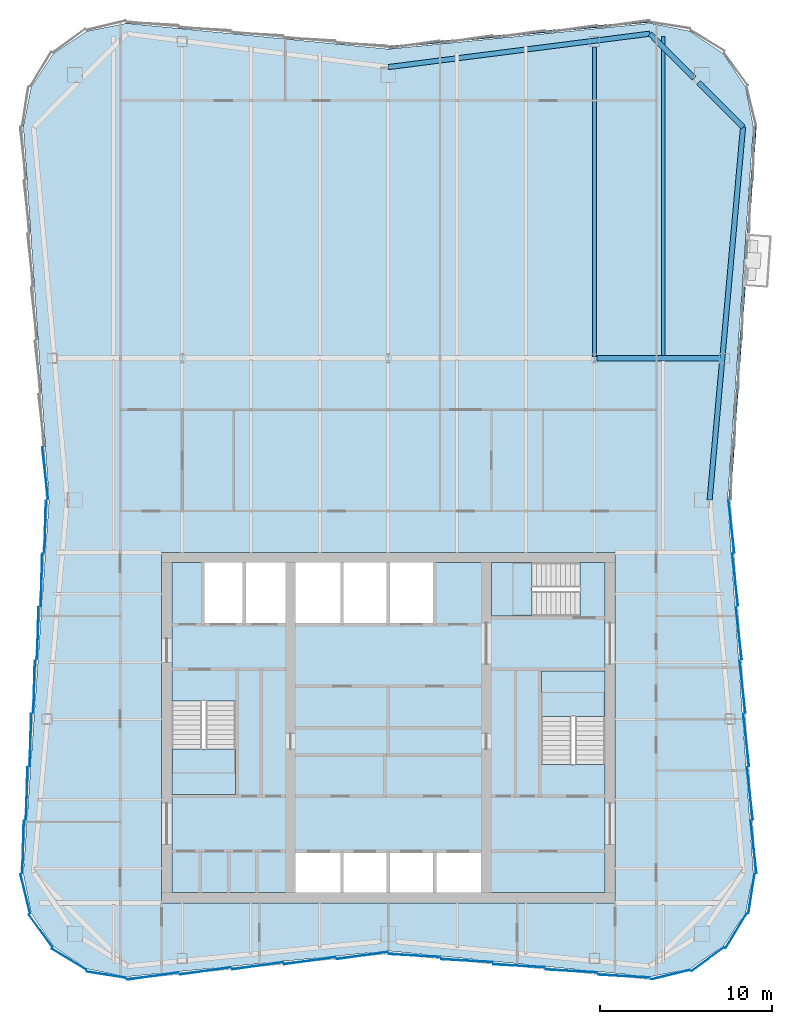
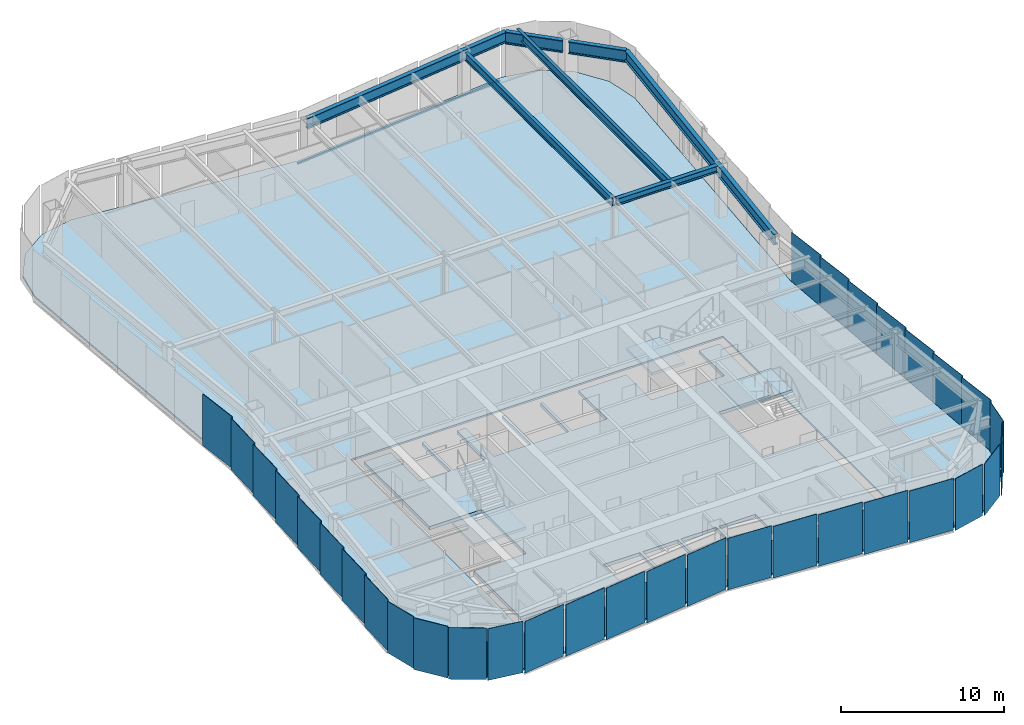
# One storey, part 4 of 11: 33 plates, 7 beams, 5 slabs, 3 members, 9 elements without a shape of their own.
"""IFC4 building model written with IfcOpenShell, lengths in metres."""

from ifc_helpers import new_model, si_unit, direction, frame, origin, origin_2d, place, context, subcontext, project, spatial, polyline, rectangle, i_section, outline, extrude, material, layer, layer_set, material_profile, profile_set, type_object, element, aggregate, save


model = new_model("IFC4")

# Units and contexts
model_context = context("Model", 3, precision=1e-05, world=origin(), true_north=direction((0.0, 1.0)))
body_context = subcontext(model_context, "Body", "Model", "MODEL_VIEW")
ifc_project = project(units=[si_unit("LENGTHUNIT", "METRE"), si_unit("AREAUNIT", "SQUARE_METRE"), si_unit("VOLUMEUNIT", "CUBIC_METRE"), si_unit("PLANEANGLEUNIT", "RADIAN"), si_unit("MASSUNIT", "GRAM", prefix="KILO")], contexts=[model_context])

# Site, building, storey
site_placement = place(None, origin())
site = spatial("IfcSite", under=ifc_project, at=site_placement, CompositionType="ELEMENT")
building_placement = place(site_placement, origin())
building = spatial("IfcBuilding", under=site, at=building_placement, Name="Verdant Reach Tower", CompositionType="ELEMENT")
storey_placement = place(building_placement, frame((0.0, 0.0, 298.0)))
storey = spatial("IfcBuildingStorey", under=building, at=storey_placement, Name="L68", CompositionType="ELEMENT", Elevation=298.0)

# Curtain wall, members
ifc_material_1 = material(Name="Anodised aluminium", Category="aluminium")
curtain_wall_type = type_object("IfcCurtainWallType", Name="EN-CW SYSTEM Z5", PredefinedType="NOTDEFINED", material=ifc_material_1)
curtain_wall_1_placement = place(storey_placement, origin())
curtain_wall_1 = element("IfcCurtainWall", 1, at=curtain_wall_1_placement, inside=storey, type_object=curtain_wall_type, Name="Curtain wall east, L68", PredefinedType="NOTDEFINED")
ifc_material_profile_1 = material_profile(ifc_material_1, rectangle(XDim=0.10009765625, YDim=0.1298828125, at=origin_2d()), Name="Transom 130x100")
ifc_profile_set_1 = profile_set([ifc_material_profile_1], Name="Anodised aluminium")
member_type = type_object("IfcMemberType", Name="EN-TRANSOM Z5", PredefinedType="USERDEFINED", material=ifc_profile_set_1)
member_1_placement = place(storey_placement, frame((19.867431640625, 41.284912109375, -0.284912109375), z_axis=(0.068823748892, 0.997628834582, 0.0), x_axis=(-0.997628834582, 0.068823748892, 0.0)))
member_1 = element("IfcMember", 2, at=member_1_placement, type_object=member_type, Name="Transom east face part 2 1.1, L68", ObjectType="TRANSOM", PredefinedType="USERDEFINED", context=body_context, shape_type="SweptSolid", body=[
    extrude(rectangle(XDim=0.10009765625, YDim=0.1298828125, at=origin_2d()), origin(), (0.0, 0.0, 1.0), 12.380126953125),
])
member_2_placement = place(storey_placement, frame((20.9384765625, 56.812744140625, -0.284912109375), z_axis=(0.068644672033, 0.997641172467, 0.0), x_axis=(-0.997641172467, 0.068644672033, 0.0)))
member_2 = element("IfcMember", 3, at=member_2_placement, type_object=member_type, Name="Transom east face part 2 2.1, L68", ObjectType="TRANSOM", PredefinedType="USERDEFINED", context=body_context, shape_type="SweptSolid", body=[
    extrude(rectangle(XDim=0.10009765625, YDim=0.1298828125, at=origin_2d()), origin(), (0.0, 0.0, 1.0), 6.17431640625),
])

# Curtain wall, member
curtain_wall_2_placement = place(storey_placement, origin())
curtain_wall_2 = element("IfcCurtainWall", 4, at=curtain_wall_2_placement, inside=storey, type_object=curtain_wall_type, Name="Curtain wall north, L68", PredefinedType="NOTDEFINED")
member_3_placement = place(storey_placement, frame((15.220703125, 69.111328125, -0.284912109375), z_axis=(-0.99520229006, -0.097838652171, 0.0), x_axis=(0.097838652171, -0.99520229006, 0.0)))
member_3 = element("IfcMember", 5, at=member_3_placement, type_object=member_type, Name="Transom north face part 1 1.1, L68", ObjectType="TRANSOM", PredefinedType="USERDEFINED", context=body_context, shape_type="SweptSolid", body=[
    extrude(rectangle(XDim=0.10009765625, YDim=0.1298828125, at=origin_2d()), origin(), (0.0, 0.0, 1.0), 15.259033203125),
])
aggregate(curtain_wall_2, [member_3])

# Beams
ifc_material_2 = material(Name="Steel S355", Category="steel")
ifc_material_profile_2 = material_profile(ifc_material_2, i_section(OverallWidth=0.300048828125, OverallDepth=0.489990234375, WebThickness=0.011962890625, FlangeThickness=0.02294921875, FilletRadius=0.027099609375, at=origin_2d()), Name="HEA 500")
ifc_profile_set_2 = profile_set([ifc_material_profile_2], Name="Steel S355")
beam_type_1 = type_object("IfcBeamType", Name="ST-BEAM-HEA500", PredefinedType="BEAM", material=ifc_profile_set_2)
beam_1_placement = place(storey_placement, frame((12.153076171875, 49.5, 3.625), z_axis=(1.0, 0.0, 0.0), x_axis=(0.0, 1.0, 0.0)))
element("IfcBeam", 6, at=beam_1_placement, inside=storey, type_object=beam_type_1, Name="Row girder, L68", PredefinedType="BEAM", context=body_context, shape_type="SweptSolid", body=[
    extrude(i_section(OverallWidth=0.300048828125, OverallDepth=0.489990234375, WebThickness=0.011962890625, FlangeThickness=0.02294921875, FilletRadius=0.027099609375, at=origin_2d()), origin(), (0.0, 0.0, 1.0), 7.115966796875),
])
ifc_material_profile_3 = material_profile(ifc_material_2, i_section(OverallWidth=0.219970703125, OverallDepth=0.60009765625, WebThickness=0.011962890625, FlangeThickness=0.01904296875, FilletRadius=0.02392578125, at=origin_2d()), Name="IPE 600")
ifc_profile_set_3 = profile_set([ifc_material_profile_3], Name="Steel S355")
beam_type_2 = type_object("IfcBeamType", Name="ST-JOIST-IPE600", PredefinedType="JOIST", material=ifc_profile_set_3)
beam_2_placement = place(storey_placement, frame((12.0, 49.60009765625, 3.570068359375), z_axis=(0.0, 1.0, 0.0), x_axis=(-1.0, 0.0, 0.0)))
element("IfcBeam", 7, at=beam_2_placement, inside=storey, type_object=beam_type_2, Name="Floor joist, L68", PredefinedType="JOIST", context=body_context, shape_type="SweptSolid", body=[
    extrude(i_section(OverallWidth=0.219970703125, OverallDepth=0.60009765625, WebThickness=0.011962890625, FlangeThickness=0.01904296875, FilletRadius=0.02392578125, at=origin_2d()), origin(), (0.0, 0.0, 1.0), 18.0302734375),
])
beam_3_placement = place(storey_placement, frame((16.0, 49.60009765625, 3.570068359375), z_axis=(0.0, 1.0, 0.0), x_axis=(-1.0, 0.0, 0.0)))
element("IfcBeam", 8, at=beam_3_placement, inside=storey, type_object=beam_type_2, Name="Floor joist, L68", PredefinedType="JOIST", context=body_context, shape_type="SweptSolid", body=[
    extrude(i_section(OverallWidth=0.219970703125, OverallDepth=0.60009765625, WebThickness=0.011962890625, FlangeThickness=0.01904296875, FilletRadius=0.02392578125, at=origin_2d()), origin(), (0.0, 0.0, 1.0), 18.638916015625),
])
ifc_material_profile_4 = material_profile(ifc_material_2, i_section(OverallWidth=0.300048828125, OverallDepth=0.800048828125, WebThickness=0.017578125, FlangeThickness=0.032958984375, FilletRadius=0.030029296875, at=origin_2d()), Name="HEB 800")
ifc_profile_set_4 = profile_set([ifc_material_profile_4], Name="Steel S355")
beam_type_3 = type_object("IfcBeamType", Name="ST-SPANDREL-HEB800", PredefinedType="SPANDREL", material=ifc_profile_set_4)
beam_4_placement = place(storey_placement, frame((0.0, 66.449951171875, 3.469970703125), z_axis=(0.991938889669, 0.126717162063, 0.0), x_axis=(-0.126717162063, 0.991938889669, 0.0)))
element("IfcBeam", 9, at=beam_4_placement, inside=storey, type_object=beam_type_3, Name="Edge beam, L68", PredefinedType="SPANDREL", context=body_context, shape_type="SweptSolid", body=[
    extrude(i_section(OverallWidth=0.300048828125, OverallDepth=0.800048828125, WebThickness=0.017578125, FlangeThickness=0.032958984375, FilletRadius=0.030029296875, at=origin_2d()), origin(), (0.0, 0.0, 1.0), 15.343994140625),
])
beam_5_placement = place(storey_placement, frame((20.64599609375, 62.96142578125, 3.469970703125), z_axis=(-0.089274399498, -0.996007069048, 0.0), x_axis=(0.996007069048, -0.089274399498, 0.0)))
element("IfcBeam", 10, at=beam_5_placement, inside=storey, type_object=beam_type_3, Name="Edge beam, L68", PredefinedType="SPANDREL", context=body_context, shape_type="SweptSolid", body=[
    extrude(i_section(OverallWidth=0.300048828125, OverallDepth=0.800048828125, WebThickness=0.017578125, FlangeThickness=0.032958984375, FilletRadius=0.030029296875, at=origin_2d()), origin(), (0.0, 0.0, 1.0), 21.798583984375),
])
ifc_material_profile_5 = material_profile(ifc_material_2, i_section(OverallWidth=0.302001953125, OverallDepth=0.909912109375, WebThickness=0.02099609375, FlangeThickness=0.0400390625, FilletRadius=0.030029296875, at=origin_2d()), Name="HEM 900")
ifc_profile_set_5 = profile_set([ifc_material_profile_5], Name="Steel S355")
beam_type_4 = type_object("IfcBeamType", Name="ST-SPANDREL-HEM900", PredefinedType="SPANDREL", material=ifc_profile_set_5)
beam_6_placement = place(storey_placement, frame((15.22021484375, 68.394287109375, 3.4150390625), z_axis=(0.706638520854, -0.707574731632, 0.0), x_axis=(0.707574731632, 0.706638520854, 0.0)))
element("IfcBeam", 11, at=beam_6_placement, inside=storey, type_object=beam_type_4, Name="Edge beam, L68", PredefinedType="SPANDREL", context=body_context, shape_type="SweptSolid", body=[
    extrude(i_section(OverallWidth=0.302001953125, OverallDepth=0.909912109375, WebThickness=0.02099609375, FlangeThickness=0.0400390625, FilletRadius=0.030029296875, at=origin_2d()), origin(), (0.0, 0.0, 1.0), 3.65087890625),
])
beam_7_placement = place(storey_placement, frame((18.060791015625, 65.550048828125, 3.4150390625), z_axis=(0.706639493403, -0.707573760369, 0.0), x_axis=(0.707573760369, 0.706639493403, 0.0)))
element("IfcBeam", 12, at=beam_7_placement, inside=storey, type_object=beam_type_4, Name="Edge beam, L68", PredefinedType="SPANDREL", context=body_context, shape_type="SweptSolid", body=[
    extrude(i_section(OverallWidth=0.302001953125, OverallDepth=0.909912109375, WebThickness=0.02099609375, FlangeThickness=0.0400390625, FilletRadius=0.030029296875, at=origin_2d()), origin(), (0.0, 0.0, 1.0), 3.658447265625),
])

# Stair, slab
ifc_material_3 = material(Name="Concrete C40/50", Category="concrete")
stair_type = type_object("IfcStairType", Name="CO-STAIR", PredefinedType="HALF_TURN_STAIR", material=ifc_material_3)
stair_1_placement = place(storey_placement, origin())
stair_1 = element("IfcStair", 13, at=stair_1_placement, inside=storey, type_object=stair_type, Name="L68 Exit stair 1", PredefinedType="HALF_TURN_STAIR")
ifc_layer_1 = layer(ifc_material_3, 0.199951171875)
ifc_layer_set_1 = layer_set([ifc_layer_1], Name="CO-STAIR-LANDING")
slab_type_1 = type_object("IfcSlabType", Name="CO-STAIR-LANDING", PredefinedType="LANDING", material=ifc_layer_set_1)
slab_1_placement = place(storey_placement, frame((0.0, 0.0, 1.800048828125)))
slab_1 = element("IfcSlab", 14, at=slab_1_placement, type_object=slab_type_1, Name="ST-1 landing 1", PredefinedType="LANDING", context=body_context, shape_type="SweptSolid", body=[
    extrude(outline(polyline([(-12.60009765625, 26.75), (-12.60009765625, 24.10009765625), (-8.89990234375, 24.10009765625), (-8.89990234375, 26.75), (-12.60009765625, 26.75)])), origin(), (0.0, 0.0, 1.0), 0.199951171875),
])
aggregate(stair_1, [slab_1])

stair_2_placement = place(storey_placement, origin())
stair_2 = element("IfcStair", 15, at=stair_2_placement, inside=storey, type_object=stair_type, Name="L68 Exit stair 2", PredefinedType="HALF_TURN_STAIR")
slab_2_placement = place(storey_placement, frame((0.0, 0.0, 1.800048828125)))
slab_2 = element("IfcSlab", 16, at=slab_2_placement, type_object=slab_type_1, Name="ST-2 landing 1", PredefinedType="LANDING", context=body_context, shape_type="SweptSolid", body=[
    extrude(outline(polyline([(12.60009765625, 28.64990234375), (12.60009765625, 31.300048828125), (8.89990234375, 31.300048828125), (8.89990234375, 28.64990234375), (12.60009765625, 28.64990234375)])), origin(), (0.0, 0.0, 1.0), 0.199951171875),
])
aggregate(stair_2, [slab_2])

stair_3_placement = place(storey_placement, origin())
stair_3 = element("IfcStair", 17, at=stair_3_placement, inside=storey, type_object=stair_type, Name="L68 Exit stair 3", PredefinedType="HALF_TURN_STAIR")
slab_3_placement = place(storey_placement, frame((0.0, 0.0, 1.800048828125)))
slab_3 = element("IfcSlab", 18, at=slab_3_placement, type_object=slab_type_1, Name="ST-3 landing 1", PredefinedType="LANDING", context=body_context, shape_type="SweptSolid", body=[
    extrude(outline(polyline([(8.35009765625, 37.60009765625), (6.0, 37.60009765625), (6.0, 34.5), (8.35009765625, 34.5), (8.35009765625, 37.60009765625)])), origin(), (0.0, 0.0, 1.0), 0.199951171875),
])
aggregate(stair_3, [slab_3])

# Curtain wall, plates
curtain_wall_3_placement = place(storey_placement, origin())
curtain_wall_3 = element("IfcCurtainWall", 19, at=curtain_wall_3_placement, inside=storey, type_object=curtain_wall_type, Name="Curtain wall south-east corner, L68", PredefinedType="NOTDEFINED")
ifc_material_4 = material(Name="Tinted glass with champagne spandrel", Category="glass")
ifc_layer_2 = layer(ifc_material_4, 0.031982421875)
ifc_layer_set_2 = layer_set([ifc_layer_2], Name="EN-PANEL CHAMPAGNE")
plate_type_1 = type_object("IfcPlateType", Name="EN-PANEL CHAMPAGNE", PredefinedType="CURTAIN_PANEL", material=ifc_layer_set_2)
plate_1_placement = place(storey_placement, frame((18.58203125, 14.51318359375, -0.219970703125), z_axis=(0.0, 0.0, 1.0), x_axis=(0.807456783236, 0.58992672698, 0.0)))
plate_1 = element("IfcPlate", 20, at=plate_1_placement, type_object=plate_type_1, Name="Glass panel south-east corner 2.1, L68", PredefinedType="CURTAIN_PANEL", context=body_context, shape_type="SweptSolid", body=[
    extrude(rectangle(XDim=2.320068359375, YDim=0.031982421875, at=origin_2d()), origin(), (0.0, 0.0, 1.0), 3.8701171875),
])
plate_2_placement = place(storey_placement, frame((20.23681640625, 16.16796875, -0.219970703125), z_axis=(0.0, 0.0, 1.0), x_axis=(0.520291528711, 0.853988714885, 0.0)))
plate_2 = element("IfcPlate", 21, at=plate_2_placement, type_object=plate_type_1, Name="Glass panel south-east corner 3.1, L68", PredefinedType="CURTAIN_PANEL", context=body_context, shape_type="SweptSolid", body=[
    extrude(rectangle(XDim=2.320068359375, YDim=0.031982421875, at=origin_2d()), origin(), (0.0, 0.0, 1.0), 3.8701171875),
])

# Plate
plate_3_placement = place(storey_placement, frame((21.257568359375, 21.053955078125, -0.219970703125), z_axis=(0.0, 0.0, 1.0), x_axis=(-0.110197580247, 0.993909700782, 0.0)))
plate_3 = element("IfcPlate", 22, at=plate_3_placement, type_object=plate_type_1, Name="Glass panel east face part 1 1.1, L68", PredefinedType="CURTAIN_PANEL", context=body_context, shape_type="SweptSolid", body=[
    extrude(rectangle(XDim=3.063720703125, YDim=0.031982421875, at=origin_2d()), origin(), (0.0, 0.0, 1.0), 3.8701171875),
])

plate_4_placement = place(storey_placement, frame((21.043212890625, 24.168701171875, -0.219970703125), z_axis=(0.0, 0.0, 1.0), x_axis=(-0.110518162674, 0.993874104562, 0.0)))
plate_4 = element("IfcPlate", 23, at=plate_4_placement, type_object=plate_type_1, Name="Glass panel east face part 1 2.1, L68", PredefinedType="CURTAIN_PANEL", context=body_context, shape_type="SweptSolid", body=[
    extrude(rectangle(XDim=3.048583984375, YDim=0.031982421875, at=origin_2d()), origin(), (0.0, 0.0, 1.0), 3.8701171875),
])

# Curtain wall, plates
curtain_wall_4_placement = place(storey_placement, origin())
curtain_wall_4 = element("IfcCurtainWall", 24, at=curtain_wall_4_placement, inside=storey, type_object=curtain_wall_type, Name="Curtain wall west, L68", PredefinedType="NOTDEFINED")
plate_5_placement = place(storey_placement, frame((-21.043212890625, 24.168701171875, -0.219970703125), z_axis=(0.0, 0.0, 1.0), x_axis=(-0.026965318308, -0.999636369691, 0.0)))
plate_5 = element("IfcPlate", 25, at=plate_5_placement, type_object=plate_type_1, Name="Glass panel west face part 2 6.1, L68", PredefinedType="CURTAIN_PANEL", context=body_context, shape_type="SweptSolid", body=[
    extrude(rectangle(XDim=3.048583984375, YDim=0.031982421875, at=origin_2d()), origin(), (0.0, 0.0, 1.0), 3.8701171875),
])
plate_6_placement = place(storey_placement, frame((-21.257568359375, 21.053955078125, -0.219970703125), z_axis=(0.0, 0.0, 1.0), x_axis=(-0.026642881595, -0.999645015423, 0.0)))
plate_6 = element("IfcPlate", 26, at=plate_6_placement, type_object=plate_type_1, Name="Glass panel west face part 2 7.1, L68", PredefinedType="CURTAIN_PANEL", context=body_context, shape_type="SweptSolid", body=[
    extrude(rectangle(XDim=3.063720703125, YDim=0.031982421875, at=origin_2d()), origin(), (0.0, 0.0, 1.0), 3.8701171875),
])

# Curtain wall, plate
curtain_wall_5_placement = place(storey_placement, origin())
curtain_wall_5 = element("IfcCurtainWall", 27, at=curtain_wall_5_placement, inside=storey, type_object=curtain_wall_type, Name="Curtain wall south-west corner, L68", PredefinedType="NOTDEFINED")
plate_7_placement = place(storey_placement, frame((-16.4228515625, 13.61767578125, -0.219970703125), z_axis=(0.0, 0.0, 1.0), x_axis=(0.988033409454, -0.154240013621, 0.0)))
plate_7 = element("IfcPlate", 28, at=plate_7_placement, type_object=plate_type_1, Name="Glass panel south-west corner 4.1, L68", PredefinedType="CURTAIN_PANEL", context=body_context, shape_type="SweptSolid", body=[
    extrude(rectangle(XDim=2.314453125, YDim=0.031982421875, at=origin_2d()), origin(), (0.0, 0.0, 1.0), 3.8701171875),
])

# Curtain wall, plates
curtain_wall_6_placement = place(storey_placement, origin())
curtain_wall_6 = element("IfcCurtainWall", 29, at=curtain_wall_6_placement, inside=storey, type_object=curtain_wall_type, Name="Curtain wall south, L68", PredefinedType="NOTDEFINED")
plate_8_placement = place(storey_placement, frame((-10.663818359375, 13.83544921875, -0.219970703125), z_axis=(0.0, 0.0, 1.0), x_axis=(0.990225318365, 0.139476947446, 0.0)))
plate_8 = element("IfcPlate", 30, at=plate_8_placement, type_object=plate_type_1, Name="Glass panel south face part 1 2.1, L68", PredefinedType="CURTAIN_PANEL", context=body_context, shape_type="SweptSolid", body=[
    extrude(rectangle(XDim=2.998779296875, YDim=0.031982421875, at=origin_2d()), origin(), (0.0, 0.0, 1.0), 3.8701171875),
])
plate_9_placement = place(storey_placement, frame((-7.61376953125, 14.135498046875, -0.219970703125), z_axis=(0.0, 0.0, 1.0), x_axis=(0.990225318365, 0.139476947446, 0.0)))
plate_9 = element("IfcPlate", 31, at=plate_9_placement, type_object=plate_type_1, Name="Glass panel south face part 1 3.1, L68", PredefinedType="CURTAIN_PANEL", context=body_context, shape_type="SweptSolid", body=[
    extrude(rectangle(XDim=2.998779296875, YDim=0.031982421875, at=origin_2d()), origin(), (0.0, 0.0, 1.0), 3.8701171875),
])
plate_10_placement = place(storey_placement, frame((7.61376953125, 14.135498046875, -0.219970703125), z_axis=(0.0, 0.0, 1.0), x_axis=(0.998423588956, -0.056127863106, 0.0)))
plate_10 = element("IfcPlate", 32, at=plate_10_placement, type_object=plate_type_1, Name="Glass panel south face part 2 3.1, L68", PredefinedType="CURTAIN_PANEL", context=body_context, shape_type="SweptSolid", body=[
    extrude(rectangle(XDim=2.998779296875, YDim=0.031982421875, at=origin_2d()), origin(), (0.0, 0.0, 1.0), 3.8701171875),
])
plate_11_placement = place(storey_placement, frame((10.663818359375, 13.83544921875, -0.219970703125), z_axis=(0.0, 0.0, 1.0), x_axis=(0.998423588956, -0.056127863106, 0.0)))
plate_11 = element("IfcPlate", 33, at=plate_11_placement, type_object=plate_type_1, Name="Glass panel south face part 2 4.1, L68", PredefinedType="CURTAIN_PANEL", context=body_context, shape_type="SweptSolid", body=[
    extrude(rectangle(XDim=2.998779296875, YDim=0.031982421875, at=origin_2d()), origin(), (0.0, 0.0, 1.0), 3.8701171875),
])
plate_12_placement = place(storey_placement, frame((13.72216796875, 13.535400390625, -0.219970703125), z_axis=(0.0, 0.0, 1.0), x_axis=(0.998446157248, -0.055724959185, 0.0)))
plate_12 = element("IfcPlate", 34, at=plate_12_placement, type_object=plate_type_1, Name="Glass panel south face part 2 5.1, L68", PredefinedType="CURTAIN_PANEL", context=body_context, shape_type="SweptSolid", body=[
    extrude(rectangle(XDim=3.015625, YDim=0.031982421875, at=origin_2d()), origin(), (0.0, 0.0, 1.0), 3.8701171875),
])

# Plate
ifc_material_5 = material(Name="Tinted glass with copper spandrel", Category="glass")
ifc_layer_3 = layer(ifc_material_5, 0.031982421875)
ifc_layer_set_3 = layer_set([ifc_layer_3], Name="EN-PANEL COPPER")
plate_type_2 = type_object("IfcPlateType", Name="EN-PANEL COPPER", PredefinedType="CURTAIN_PANEL", material=ifc_layer_set_3)
plate_13_placement = place(storey_placement, frame((21.132080078125, 18.326171875, -0.219970703125), z_axis=(0.0, 0.0, 1.0), x_axis=(0.154337499461, 0.988018186199, 0.0)))
plate_13 = element("IfcPlate", 35, at=plate_13_placement, type_object=plate_type_2, Name="Glass panel south-east corner 4.1, L68", PredefinedType="CURTAIN_PANEL", context=body_context, shape_type="SweptSolid", body=[
    extrude(rectangle(XDim=2.312744140625, YDim=0.031982421875, at=origin_2d()), origin(), (0.0, 0.0, 1.0), 3.8701171875),
])

plate_14_placement = place(storey_placement, frame((20.8291015625, 27.27587890625, -0.219970703125), z_axis=(0.0, 0.0, 1.0), x_axis=(-0.110518162674, 0.993874104562, 0.0)))
plate_14 = element("IfcPlate", 36, at=plate_14_placement, type_object=plate_type_2, Name="Glass panel east face part 1 3.1, L68", PredefinedType="CURTAIN_PANEL", context=body_context, shape_type="SweptSolid", body=[
    extrude(rectangle(XDim=3.048583984375, YDim=0.031982421875, at=origin_2d()), origin(), (0.0, 0.0, 1.0), 3.8701171875),
])

plate_15_placement = place(storey_placement, frame((20.61474609375, 30.3828125, -0.219970703125), z_axis=(0.0, 0.0, 1.0), x_axis=(-0.110518162674, 0.993874104562, 0.0)))
plate_15 = element("IfcPlate", 37, at=plate_15_placement, type_object=plate_type_2, Name="Glass panel east face part 1 4.1, L68", PredefinedType="CURTAIN_PANEL", context=body_context, shape_type="SweptSolid", body=[
    extrude(rectangle(XDim=3.048583984375, YDim=0.031982421875, at=origin_2d()), origin(), (0.0, 0.0, 1.0), 3.8701171875),
])

plate_16_placement = place(storey_placement, frame((-19.971923828125, 42.799560546875, -0.219970703125), z_axis=(0.0, 0.0, 1.0), x_axis=(0.110605344993, -0.993864406073, 0.0)))
plate_16 = element("IfcPlate", 38, at=plate_16_placement, type_object=plate_type_2, Name="Glass panel west face part 1 7.1, L68", PredefinedType="CURTAIN_PANEL", context=body_context, shape_type="SweptSolid", body=[
    extrude(rectangle(XDim=3.04052734375, YDim=0.031982421875, at=origin_2d()), origin(), (0.0, 0.0, 1.0), 3.8701171875),
])

plate_17_placement = place(storey_placement, frame((-19.971923828125, 39.700439453125, -0.219970703125), z_axis=(0.0, 0.0, 1.0), x_axis=(-0.027053006415, -0.999634000444, 0.0)))
plate_17 = element("IfcPlate", 39, at=plate_17_placement, type_object=plate_type_2, Name="Glass panel west face part 2 1.1, L68", PredefinedType="CURTAIN_PANEL", context=body_context, shape_type="SweptSolid", body=[
    extrude(rectangle(XDim=3.04052734375, YDim=0.031982421875, at=origin_2d()), origin(), (0.0, 0.0, 1.0), 3.8701171875),
])

plate_18_placement = place(storey_placement, frame((-20.18603515625, 36.59716796875, -0.219970703125), z_axis=(0.0, 0.0, 1.0), x_axis=(-0.026965318308, -0.999636369691, 0.0)))
plate_18 = element("IfcPlate", 40, at=plate_18_placement, type_object=plate_type_2, Name="Glass panel west face part 2 2.1, L68", PredefinedType="CURTAIN_PANEL", context=body_context, shape_type="SweptSolid", body=[
    extrude(rectangle(XDim=3.048583984375, YDim=0.031982421875, at=origin_2d()), origin(), (0.0, 0.0, 1.0), 3.8701171875),
])

plate_19_placement = place(storey_placement, frame((-21.132080078125, 18.326171875, -0.219970703125), z_axis=(0.0, 0.0, 1.0), x_axis=(0.236471447122, -0.971638438256, 0.0)))
plate_19 = element("IfcPlate", 41, at=plate_19_placement, type_object=plate_type_2, Name="Glass panel south-west corner 1.1, L68", PredefinedType="CURTAIN_PANEL", context=body_context, shape_type="SweptSolid", body=[
    extrude(rectangle(XDim=2.312744140625, YDim=0.031982421875, at=origin_2d()), origin(), (0.0, 0.0, 1.0), 3.8701171875),
])

plate_20_placement = place(storey_placement, frame((-4.563720703125, 14.435546875, -0.219970703125), z_axis=(0.0, 0.0, 1.0), x_axis=(0.990225318365, 0.139476947446, 0.0)))
plate_20 = element("IfcPlate", 42, at=plate_20_placement, type_object=plate_type_2, Name="Glass panel south face part 1 4.1, L68", PredefinedType="CURTAIN_PANEL", context=body_context, shape_type="SweptSolid", body=[
    extrude(rectangle(XDim=2.998779296875, YDim=0.031982421875, at=origin_2d()), origin(), (0.0, 0.0, 1.0), 3.8701171875),
])

plate_21_placement = place(storey_placement, frame((-1.519287109375, 14.7353515625, -0.219970703125), z_axis=(0.0, 0.0, 1.0), x_axis=(0.990200074141, 0.139656053116, 0.0)))
plate_21 = element("IfcPlate", 43, at=plate_21_placement, type_object=plate_type_2, Name="Glass panel south face part 1 5.1, L68", PredefinedType="CURTAIN_PANEL", context=body_context, shape_type="SweptSolid", body=[
    extrude(rectangle(XDim=2.987548828125, YDim=0.031982421875, at=origin_2d()), origin(), (0.0, 0.0, 1.0), 3.8701171875),
])

ifc_material_6 = material(Name="Tinted glass with dark bronze spandrel", Category="glass")
ifc_layer_4 = layer(ifc_material_6, 0.031982421875)
ifc_layer_set_4 = layer_set([ifc_layer_4], Name="EN-PANEL DARK")
plate_type_3 = type_object("IfcPlateType", Name="EN-PANEL DARK", PredefinedType="CURTAIN_PANEL", material=ifc_layer_set_4)
plate_22_placement = place(storey_placement, frame((16.4228515625, 13.61767578125, -0.219970703125), z_axis=(0.0, 0.0, 1.0), x_axis=(0.971661765526, 0.236375577028, 0.0)))
plate_22 = element("IfcPlate", 44, at=plate_22_placement, type_object=plate_type_3, Name="Glass panel south-east corner 1.1, L68", PredefinedType="CURTAIN_PANEL", context=body_context, shape_type="SweptSolid", body=[
    extrude(rectangle(XDim=2.314453125, YDim=0.031982421875, at=origin_2d()), origin(), (0.0, 0.0, 1.0), 3.8701171875),
])

aggregate(curtain_wall_3, [plate_22, plate_1, plate_2, plate_13])

plate_23_placement = place(storey_placement, frame((20.400390625, 33.489990234375, -0.219970703125), z_axis=(0.0, 0.0, 1.0), x_axis=(-0.110518162674, 0.993874104562, 0.0)))
plate_23 = element("IfcPlate", 45, at=plate_23_placement, type_object=plate_type_3, Name="Glass panel east face part 1 5.1, L68", PredefinedType="CURTAIN_PANEL", context=body_context, shape_type="SweptSolid", body=[
    extrude(rectangle(XDim=3.048583984375, YDim=0.031982421875, at=origin_2d()), origin(), (0.0, 0.0, 1.0), 3.8701171875),
])

plate_24_placement = place(storey_placement, frame((20.18603515625, 36.59716796875, -0.219970703125), z_axis=(0.0, 0.0, 1.0), x_axis=(-0.110518162674, 0.993874104562, 0.0)))
plate_24 = element("IfcPlate", 46, at=plate_24_placement, type_object=plate_type_3, Name="Glass panel east face part 1 6.1, L68", PredefinedType="CURTAIN_PANEL", context=body_context, shape_type="SweptSolid", body=[
    extrude(rectangle(XDim=3.048583984375, YDim=0.031982421875, at=origin_2d()), origin(), (0.0, 0.0, 1.0), 3.8701171875),
])

plate_25_placement = place(storey_placement, frame((19.971923828125, 39.700439453125, -0.219970703125), z_axis=(0.0, 0.0, 1.0), x_axis=(-0.110605344993, 0.993864406073, 0.0)))
plate_25 = element("IfcPlate", 47, at=plate_25_placement, type_object=plate_type_3, Name="Glass panel east face part 1 7.1, L68", PredefinedType="CURTAIN_PANEL", context=body_context, shape_type="SweptSolid", body=[
    extrude(rectangle(XDim=3.04052734375, YDim=0.031982421875, at=origin_2d()), origin(), (0.0, 0.0, 1.0), 3.8701171875),
])

aggregate(curtain_wall_1, [plate_3, plate_4, plate_14, plate_15, plate_23, plate_24, plate_25, member_1, member_2])

plate_26_placement = place(storey_placement, frame((-20.400390625, 33.489990234375, -0.219970703125), z_axis=(0.0, 0.0, 1.0), x_axis=(-0.026965318308, -0.999636369691, 0.0)))
plate_26 = element("IfcPlate", 48, at=plate_26_placement, type_object=plate_type_3, Name="Glass panel west face part 2 3.1, L68", PredefinedType="CURTAIN_PANEL", context=body_context, shape_type="SweptSolid", body=[
    extrude(rectangle(XDim=3.048583984375, YDim=0.031982421875, at=origin_2d()), origin(), (0.0, 0.0, 1.0), 3.8701171875),
])

plate_27_placement = place(storey_placement, frame((-20.61474609375, 30.3828125, -0.219970703125), z_axis=(0.0, 0.0, 1.0), x_axis=(-0.026965318308, -0.999636369691, 0.0)))
plate_27 = element("IfcPlate", 49, at=plate_27_placement, type_object=plate_type_3, Name="Glass panel west face part 2 4.1, L68", PredefinedType="CURTAIN_PANEL", context=body_context, shape_type="SweptSolid", body=[
    extrude(rectangle(XDim=3.048583984375, YDim=0.031982421875, at=origin_2d()), origin(), (0.0, 0.0, 1.0), 3.8701171875),
])

plate_28_placement = place(storey_placement, frame((-20.8291015625, 27.27587890625, -0.219970703125), z_axis=(0.0, 0.0, 1.0), x_axis=(-0.026965318308, -0.999636369691, 0.0)))
plate_28 = element("IfcPlate", 50, at=plate_28_placement, type_object=plate_type_3, Name="Glass panel west face part 2 5.1, L68", PredefinedType="CURTAIN_PANEL", context=body_context, shape_type="SweptSolid", body=[
    extrude(rectangle(XDim=3.048583984375, YDim=0.031982421875, at=origin_2d()), origin(), (0.0, 0.0, 1.0), 3.8701171875),
])

aggregate(curtain_wall_4, [plate_16, plate_17, plate_18, plate_26, plate_27, plate_28, plate_5, plate_6])

plate_29_placement = place(storey_placement, frame((-20.23681640625, 16.16796875, -0.219970703125), z_axis=(0.0, 0.0, 1.0), x_axis=(0.58992672698, -0.807456783236, 0.0)))
plate_29 = element("IfcPlate", 51, at=plate_29_placement, type_object=plate_type_3, Name="Glass panel south-west corner 2.1, L68", PredefinedType="CURTAIN_PANEL", context=body_context, shape_type="SweptSolid", body=[
    extrude(rectangle(XDim=2.320068359375, YDim=0.031982421875, at=origin_2d()), origin(), (0.0, 0.0, 1.0), 3.8701171875),
])

plate_30_placement = place(storey_placement, frame((-18.58203125, 14.51318359375, -0.219970703125), z_axis=(0.0, 0.0, 1.0), x_axis=(0.853988714885, -0.520291528711, 0.0)))
plate_30 = element("IfcPlate", 52, at=plate_30_placement, type_object=plate_type_3, Name="Glass panel south-west corner 3.1, L68", PredefinedType="CURTAIN_PANEL", context=body_context, shape_type="SweptSolid", body=[
    extrude(rectangle(XDim=2.320068359375, YDim=0.031982421875, at=origin_2d()), origin(), (0.0, 0.0, 1.0), 3.8701171875),
])

aggregate(curtain_wall_5, [plate_19, plate_29, plate_30, plate_7])

plate_31_placement = place(storey_placement, frame((-13.72216796875, 13.535400390625, -0.219970703125), z_axis=(0.0, 0.0, 1.0), x_axis=(0.990281521639, 0.139077345032, 0.0)))
plate_31 = element("IfcPlate", 53, at=plate_31_placement, type_object=plate_type_3, Name="Glass panel south face part 1 1.1, L68", PredefinedType="CURTAIN_PANEL", context=body_context, shape_type="SweptSolid", body=[
    extrude(rectangle(XDim=3.015625, YDim=0.031982421875, at=origin_2d()), origin(), (0.0, 0.0, 1.0), 3.8701171875),
])

plate_32_placement = place(storey_placement, frame((1.519287109375, 14.7353515625, -0.219970703125), z_axis=(0.0, 0.0, 1.0), x_axis=(0.998413420442, -0.05630845301, 0.0)))
plate_32 = element("IfcPlate", 54, at=plate_32_placement, type_object=plate_type_3, Name="Glass panel south face part 2 1.1, L68", PredefinedType="CURTAIN_PANEL", context=body_context, shape_type="SweptSolid", body=[
    extrude(rectangle(XDim=2.987548828125, YDim=0.031982421875, at=origin_2d()), origin(), (0.0, 0.0, 1.0), 3.8701171875),
])

plate_33_placement = place(storey_placement, frame((4.563720703125, 14.435546875, -0.219970703125), z_axis=(0.0, 0.0, 1.0), x_axis=(0.998423588956, -0.056127863106, 0.0)))
plate_33 = element("IfcPlate", 55, at=plate_33_placement, type_object=plate_type_3, Name="Glass panel south face part 2 2.1, L68", PredefinedType="CURTAIN_PANEL", context=body_context, shape_type="SweptSolid", body=[
    extrude(rectangle(XDim=2.998779296875, YDim=0.031982421875, at=origin_2d()), origin(), (0.0, 0.0, 1.0), 3.8701171875),
])

aggregate(curtain_wall_6, [plate_31, plate_8, plate_9, plate_20, plate_21, plate_32, plate_33, plate_10, plate_11, plate_12])

# Slabs
ifc_material_7 = material(Name="Concrete C35/45", Category="concrete")
ifc_layer_5 = layer(ifc_material_7, 0.1298828125)
ifc_layer_set_5 = layer_set([ifc_layer_5], Name="ST-SLAB-130")
slab_type_2 = type_object("IfcSlabType", Name="ST-SLAB-130", PredefinedType="FLOOR", material=ifc_layer_set_5)
slab_4_placement = place(storey_placement, frame((0.0, 0.0, -0.1298828125)))
element("IfcSlab", 56, at=slab_4_placement, inside=storey, type_object=slab_type_2, Name="Floor slab L68", PredefinedType="FLOOR", context=body_context, shape_type="SweptSolid", body=[
    extrude(outline(polyline([(0.0, 15.0), (-15.25, 13.5), (-17.546142578125, 13.956787109375), (-19.49267578125, 15.25732421875), (-20.793212890625, 17.203857421875), (-21.25, 19.5), (-19.75, 41.25), (-21.25, 63.0), (-20.793212890625, 65.296142578125), (-19.49267578125, 67.24267578125), (-17.546142578125, 68.543212890625), (-15.25, 69.0), (0.0, 67.5), (15.25, 69.0), (17.546142578125, 68.543212890625), (19.49267578125, 67.24267578125), (20.793212890625, 65.296142578125), (21.25, 63.0), (19.75, 41.25), (21.25, 19.5), (20.793212890625, 17.203857421875), (19.49267578125, 15.25732421875), (17.546142578125, 13.956787109375), (15.25, 13.5), (0.0, 15.0)]), holes=[polyline([(13.199951171875, 38.199951171875), (-13.199951171875, 38.199951171875), (-13.199951171875, 17.800048828125), (13.199951171875, 17.800048828125), (13.199951171875, 38.199951171875)])]), origin(), (0.0, 0.0, 1.0), 0.1298828125),
])
ifc_layer_6 = layer(ifc_material_7, 0.25)
ifc_layer_set_6 = layer_set([ifc_layer_6], Name="ST-SLAB-250")
slab_type_3 = type_object("IfcSlabType", Name="ST-SLAB-250", PredefinedType="FLOOR", material=ifc_layer_set_6)
slab_5_placement = place(storey_placement, frame((0.0, 0.0, -0.25)))
element("IfcSlab", 57, at=slab_5_placement, inside=storey, type_object=slab_type_3, Name="Core floor slab L68", PredefinedType="FLOOR", context=body_context, shape_type="SweptSolid", body=[
    extrude(outline(polyline([(12.60009765625, 18.39990234375), (5.39990234375, 18.39990234375), (5.39990234375, 20.699951171875), (2.800048828125, 20.699951171875), (2.800048828125, 18.39990234375), (2.60009765625, 18.39990234375), (2.60009765625, 20.699951171875), (0.10009765625, 20.699951171875), (0.10009765625, 18.39990234375), (-0.10009765625, 18.39990234375), (-0.10009765625, 20.699951171875), (-2.60009765625, 20.699951171875), (-2.60009765625, 18.39990234375), (-2.800048828125, 18.39990234375), (-2.800048828125, 20.699951171875), (-5.39990234375, 20.699951171875), (-5.39990234375, 18.39990234375), (-12.60009765625, 18.39990234375), (-12.60009765625, 24.10009765625), (-8.89990234375, 24.10009765625), (-8.89990234375, 29.548095703125), (-12.60009765625, 29.548095703125), (-12.60009765625, 37.60009765625), (-10.699951171875, 37.60009765625), (-10.699951171875, 34.10009765625), (-8.5, 34.10009765625), (-8.5, 37.60009765625), (-8.300048828125, 37.60009765625), (-8.300048828125, 34.10009765625), (-6.0, 34.10009765625), (-6.0, 37.60009765625), (-5.39990234375, 37.60009765625), (-5.39990234375, 34.10009765625), (-2.800048828125, 34.10009765625), (-2.800048828125, 37.60009765625), (-2.60009765625, 37.60009765625), (-2.60009765625, 34.10009765625), (-0.10009765625, 34.10009765625), (-0.10009765625, 37.60009765625), (0.10009765625, 37.60009765625), (0.10009765625, 34.10009765625), (2.60009765625, 34.10009765625), (2.60009765625, 37.60009765625), (6.0, 37.60009765625), (6.0, 34.5), (11.14794921875, 34.5), (11.14794921875, 37.60009765625), (12.60009765625, 37.60009765625), (12.60009765625, 31.300048828125), (8.89990234375, 31.300048828125), (8.89990234375, 25.85205078125), (12.60009765625, 25.85205078125), (12.60009765625, 18.39990234375)])), origin(), (0.0, 0.0, 1.0), 0.25),
])

save(model, "model.ifc")
